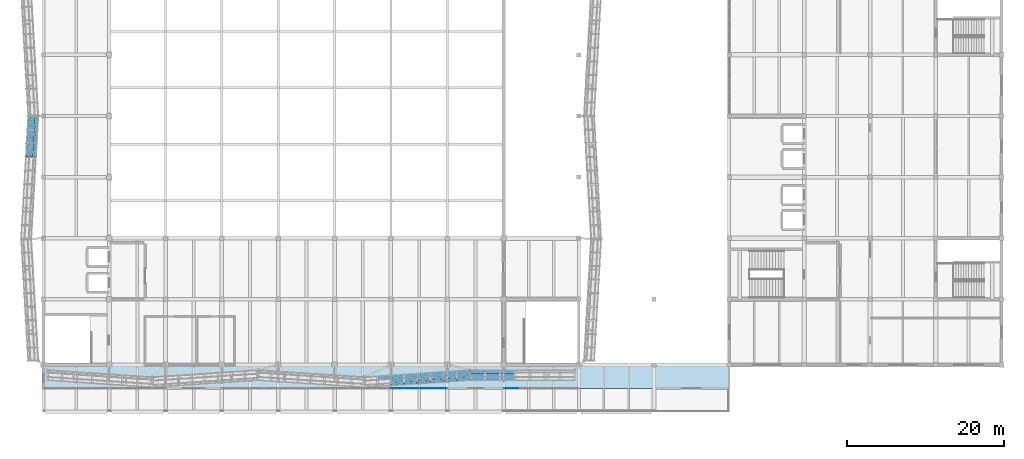
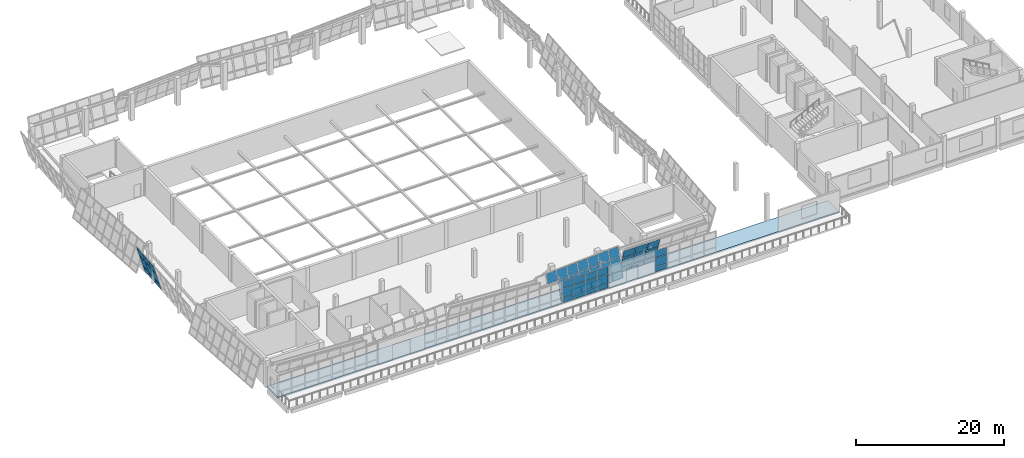
# One storey, part 37 of 67: 52 plates, 1 slab, 5 elements without a shape of their own.
"""IFC4 building model written with IfcOpenShell, lengths in metres."""

from ifc_helpers import new_model, si_unit, direction, frame, origin, place, context, subcontext, project, spatial, polyline, outline, extrude, material, layer, layer_set, type_object, element, aggregate, save


model = new_model("IFC4")

# Units and contexts
model_context = context("Model", 3, precision=1e-05, world=origin(), true_north=direction((0.0, 1.0)))
body_context = subcontext(model_context, "Body", "Model", "MODEL_VIEW")
ifc_project = project(units=[si_unit("LENGTHUNIT", "METRE"), si_unit("AREAUNIT", "SQUARE_METRE"), si_unit("VOLUMEUNIT", "CUBIC_METRE"), si_unit("PLANEANGLEUNIT", "RADIAN"), si_unit("MASSUNIT", "GRAM", prefix="KILO")], contexts=[model_context])

# Site, building, storey
site_placement = place(None, origin())
site = spatial("IfcSite", under=ifc_project, at=site_placement, CompositionType="ELEMENT")
building_placement = place(site_placement, origin())
building = spatial("IfcBuilding", under=site, at=building_placement, Name="Pellamere Symphony Hall", CompositionType="ELEMENT")
storey_placement = place(building_placement, frame((0.0, 0.0, 19.5)))
storey = spatial("IfcBuildingStorey", under=building, at=storey_placement, Name="L04", CompositionType="ELEMENT", Elevation=19.5)

# Curtain wall, plates
ifc_material_1 = material(Name="Thermally Broken Anodised Aluminium 6063-T6 Curtain Wall", Category="aluminium")
curtain_wall_type_1 = type_object("IfcCurtainWallType", Name="Curtain Wall CW-06 (Belvedere Terrace Clerestory Curtain Wall)", PredefinedType="NOTDEFINED", material=ifc_material_1)
curtain_wall_1_placement = place(storey_placement, origin())
curtain_wall_1 = element("IfcCurtainWall", 1, at=curtain_wall_1_placement, inside=storey, type_object=curtain_wall_type_1, Name="Winter-Garden South Curtain Wall (L04 Bay 7)", PredefinedType="NOTDEFINED")
ifc_material_2 = material(Name="Triple Low-E Argon Acoustic Glazing 36mm", Category="glass")
ifc_layer_1 = layer(ifc_material_2, 0.035888671875, Name="Triple Low-E Argon Acoustic Glazing 36mm")
ifc_layer_set_1 = layer_set([ifc_layer_1], Name="Triple Low-E Argon Acoustic Glazing 36mm")
plate_type_1 = type_object("IfcPlateType", Name="Facade Panel GL-01 36mm", PredefinedType="CURTAIN_PANEL", material=ifc_layer_set_1)
plate_1_placement = place(storey_placement, frame((94.864990234375, 27.0, 0.06494140625), z_axis=(0.0, -1.0, 0.0), x_axis=(1.0, 0.0, 0.0)))
plate_1 = element("IfcPlate", 2, at=plate_1_placement, type_object=plate_type_1, Name="CW2-100 crystal glass panel 1.1", PredefinedType="CURTAIN_PANEL", context=body_context, shape_type="SweptSolid", body=[
    extrude(outline(polyline([(0.0, 0.0), (1.702392578125, 0.0), (1.702392578125, 0.76123046875), (0.0, 0.76123046875), (0.0, 0.0)])), origin(), (0.0, 0.0, -1.0), 0.035888671875),
])
plate_2_placement = place(storey_placement, frame((94.864990234375, 27.0, 0.89111328125), z_axis=(0.0, -1.0, 0.0), x_axis=(1.0, 0.0, 0.0)))
plate_2 = element("IfcPlate", 3, at=plate_2_placement, type_object=plate_type_1, Name="CW2-100 crystal glass panel 1.2", PredefinedType="CURTAIN_PANEL", context=body_context, shape_type="SweptSolid", body=[
    extrude(outline(polyline([(0.0, 0.0), (1.702392578125, 0.0), (1.702392578125, 1.4375), (0.0, 1.4375), (0.0, 0.0)])), origin(), (0.0, 0.0, -1.0), 0.035888671875),
])
plate_3_placement = place(storey_placement, frame((94.864990234375, 27.0, 2.3935546875), z_axis=(0.0, -1.0, 0.0), x_axis=(1.0, 0.0, 0.0)))
plate_3 = element("IfcPlate", 4, at=plate_3_placement, type_object=plate_type_1, Name="CW2-100 crystal glass panel 1.3", PredefinedType="CURTAIN_PANEL", context=body_context, shape_type="SweptSolid", body=[
    extrude(outline(polyline([(0.0, 0.0), (1.702392578125, 0.0), (1.702392578125, 1.118896484375), (0.0, 1.118896484375), (0.0, 0.0)])), origin(), (0.0, 0.0, -1.0), 0.035888671875),
])
plate_4_placement = place(storey_placement, frame((96.632568359375, 27.0, 0.06494140625), z_axis=(0.0, -1.0, 0.0), x_axis=(1.0, 0.0, 0.0)))
plate_4 = element("IfcPlate", 5, at=plate_4_placement, type_object=plate_type_1, Name="CW2-100 crystal glass panel 2.1", PredefinedType="CURTAIN_PANEL", context=body_context, shape_type="SweptSolid", body=[
    extrude(outline(polyline([(0.0, 0.0), (1.73486328125, 0.0), (1.73486328125, 0.76123046875), (0.0, 0.76123046875), (0.0, 0.0)])), origin(), (0.0, 0.0, -1.0), 0.035888671875),
])
plate_5_placement = place(storey_placement, frame((96.632568359375, 27.0, 0.89111328125), z_axis=(0.0, -1.0, 0.0), x_axis=(1.0, 0.0, 0.0)))
plate_5 = element("IfcPlate", 6, at=plate_5_placement, type_object=plate_type_1, Name="CW2-100 crystal glass panel 2.2", PredefinedType="CURTAIN_PANEL", context=body_context, shape_type="SweptSolid", body=[
    extrude(outline(polyline([(0.0, 0.0), (1.73486328125, 0.0), (1.73486328125, 1.4375), (0.0, 1.4375), (0.0, 0.0)])), origin(), (0.0, 0.0, -1.0), 0.035888671875),
])
plate_6_placement = place(storey_placement, frame((96.632568359375, 27.0, 2.3935546875), z_axis=(0.0, -1.0, 0.0), x_axis=(1.0, 0.0, 0.0)))
plate_6 = element("IfcPlate", 7, at=plate_6_placement, type_object=plate_type_1, Name="CW2-100 crystal glass panel 2.3", PredefinedType="CURTAIN_PANEL", context=body_context, shape_type="SweptSolid", body=[
    extrude(outline(polyline([(0.0, 0.0), (1.73486328125, 0.0), (1.73486328125, 1.118896484375), (0.0, 1.118896484375), (0.0, 0.0)])), origin(), (0.0, 0.0, -1.0), 0.035888671875),
])
plate_7_placement = place(storey_placement, frame((98.4326171875, 27.0, 0.06494140625), z_axis=(0.0, -1.0, 0.0), x_axis=(1.0, 0.0, 0.0)))
plate_7 = element("IfcPlate", 8, at=plate_7_placement, type_object=plate_type_1, Name="CW2-100 crystal glass panel 3.1", PredefinedType="CURTAIN_PANEL", context=body_context, shape_type="SweptSolid", body=[
    extrude(outline(polyline([(0.0, 0.0), (1.73486328125, 0.0), (1.73486328125, 0.76123046875), (0.0, 0.76123046875), (0.0, 0.0)])), origin(), (0.0, 0.0, -1.0), 0.035888671875),
])
plate_8_placement = place(storey_placement, frame((98.4326171875, 27.0, 0.89111328125), z_axis=(0.0, -1.0, 0.0), x_axis=(1.0, 0.0, 0.0)))
plate_8 = element("IfcPlate", 9, at=plate_8_placement, type_object=plate_type_1, Name="CW2-100 crystal glass panel 3.2", PredefinedType="CURTAIN_PANEL", context=body_context, shape_type="SweptSolid", body=[
    extrude(outline(polyline([(0.0, 0.0), (1.73486328125, 0.0), (1.73486328125, 1.4375), (0.0, 1.4375), (0.0, 0.0)])), origin(), (0.0, 0.0, -1.0), 0.035888671875),
])
plate_9_placement = place(storey_placement, frame((98.4326171875, 27.0, 2.3935546875), z_axis=(0.0, -1.0, 0.0), x_axis=(1.0, 0.0, 0.0)))
plate_9 = element("IfcPlate", 10, at=plate_9_placement, type_object=plate_type_1, Name="CW2-100 crystal glass panel 3.3", PredefinedType="CURTAIN_PANEL", context=body_context, shape_type="SweptSolid", body=[
    extrude(outline(polyline([(0.0, 0.0), (1.73486328125, 0.0), (1.73486328125, 1.118896484375), (0.0, 1.118896484375), (0.0, 0.0)])), origin(), (0.0, 0.0, -1.0), 0.035888671875),
])
plate_10_placement = place(storey_placement, frame((100.232421875, 27.0, 0.06494140625), z_axis=(0.0, -1.0, 0.0), x_axis=(1.0, 0.0, 0.0)))
plate_10 = element("IfcPlate", 11, at=plate_10_placement, type_object=plate_type_1, Name="CW2-100 crystal glass panel 4.1", PredefinedType="CURTAIN_PANEL", context=body_context, shape_type="SweptSolid", body=[
    extrude(outline(polyline([(0.0, 0.0), (1.70263671875, 0.0), (1.70263671875, 0.76123046875), (0.0, 0.76123046875), (0.0, 0.0)])), origin(), (0.0, 0.0, -1.0), 0.035888671875),
])
plate_11_placement = place(storey_placement, frame((100.232421875, 27.0, 0.89111328125), z_axis=(0.0, -1.0, 0.0), x_axis=(1.0, 0.0, 0.0)))
plate_11 = element("IfcPlate", 12, at=plate_11_placement, type_object=plate_type_1, Name="CW2-100 crystal glass panel 4.2", PredefinedType="CURTAIN_PANEL", context=body_context, shape_type="SweptSolid", body=[
    extrude(outline(polyline([(0.0, 0.0), (1.70263671875, 0.0), (1.70263671875, 1.4375), (0.0, 1.4375), (0.0, 0.0)])), origin(), (0.0, 0.0, -1.0), 0.035888671875),
])
plate_12_placement = place(storey_placement, frame((100.232421875, 27.0, 2.3935546875), z_axis=(0.0, -1.0, 0.0), x_axis=(1.0, 0.0, 0.0)))
plate_12 = element("IfcPlate", 13, at=plate_12_placement, type_object=plate_type_1, Name="CW2-100 crystal glass panel 4.3", PredefinedType="CURTAIN_PANEL", context=body_context, shape_type="SweptSolid", body=[
    extrude(outline(polyline([(0.0, 0.0), (1.70263671875, 0.0), (1.70263671875, 1.118896484375), (0.0, 1.118896484375), (0.0, 0.0)])), origin(), (0.0, 0.0, -1.0), 0.035888671875),
])
aggregate(curtain_wall_1, [plate_1, plate_2, plate_3, plate_4, plate_5, plate_6, plate_7, plate_8, plate_9, plate_10, plate_11, plate_12])

curtain_wall_type_2 = type_object("IfcCurtainWallType", Name="Curtain Wall CW-01 (Tilted Faceted Crystal Low-Iron Curtain Wall)", PredefinedType="NOTDEFINED", material=ifc_material_1)
curtain_wall_2_placement = place(storey_placement, origin())
curtain_wall_2 = element("IfcCurtainWall", 14, at=curtain_wall_2_placement, inside=storey, type_object=curtain_wall_type_2, Name="Crystal Faceted Curtain Wall CW-CR04 (L04)", PredefinedType="NOTDEFINED")
ifc_material_3 = material(Name="Triple Laminated Acoustic Crystal Glazing 42mm", Category="glass")
ifc_layer_2 = layer(ifc_material_3, 0.0419921875, Name="Triple Laminated Acoustic Crystal Glazing 42mm")
ifc_layer_set_2 = layer_set([ifc_layer_2], Name="Triple Laminated Acoustic Crystal Glazing 42mm")
plate_type_2 = type_object("IfcPlateType", Name="Facade Panel GL-02 42mm", PredefinedType="CURTAIN_PANEL", material=ifc_layer_set_2)
plate_13_placement = place(storey_placement, frame((93.125, 28.122314453125, 3.005859375), z_axis=(0.063815004476, -0.956862893455, 0.283444965263), x_axis=(0.997783083326, 0.066550118015, 2.0485651e-05)))
plate_13 = element("IfcPlate", 15, at=plate_13_placement, type_object=plate_type_2, Name="CW1-004 crystal glass panel 2.3", PredefinedType="CURTAIN_PANEL", context=body_context, shape_type="SweptSolid", body=[
    extrude(outline(polyline([(0.0, 0.0), (1.6161391277871378, 0.0), (1.6441953490990662, 1.4829014653860697), (0.028072468899334197, 1.48297051208629), (0.0, 0.0)])), origin(), (0.0, 0.0, -1.0), 0.0419921875),
])
plate_14_placement = place(storey_placement, frame((94.8125, 27.36572265625, 0.072021484375), z_axis=(0.063813980382, -0.956847537844, 0.283497028608), x_axis=(0.997783083178, 0.066550120235, 2.0489085e-05)))
plate_14 = element("IfcPlate", 16, at=plate_14_placement, type_object=plate_type_2, Name="CW1-004 crystal glass panel 3.1", PredefinedType="CURTAIN_PANEL", context=body_context, shape_type="SweptSolid", body=[
    extrude(outline(polyline([(0.0, 0.0), (1.6161391277872732, 0.0), (1.6353149478078974, 1.013469832796741), (0.019192067608572165, 1.0135388921795014), (0.0, 0.0)])), origin(), (0.0, 0.0, -1.0), 0.0419921875),
])
plate_15_placement = place(storey_placement, frame((94.8125, 27.675048828125, 1.115966796875), z_axis=(0.063742803838, -0.956866407618, 0.283449348087), x_axis=(0.997788498757, 0.06646887804, 0.0)))
plate_15 = element("IfcPlate", 17, at=plate_15_placement, type_object=plate_type_2, Name="CW1-004 crystal glass panel 3.2", PredefinedType="CURTAIN_PANEL", context=body_context, shape_type="SweptSolid", body=[
    extrude(outline(polyline([(0.0, 0.0), (1.616122885895694, 0.0), (1.6519213099571914, 1.895870161008751), (0.03579842406149748, 1.895870161008751), (0.0, 0.0)])), origin(), (0.0, 0.0, -1.0), 0.0419921875),
])
plate_16_placement = place(storey_placement, frame((94.8125, 28.23486328125, 3.005859375), z_axis=(0.063815004476, -0.956862893455, 0.283444965263), x_axis=(0.997783083326, 0.066550118015, 2.0485651e-05)))
plate_16 = element("IfcPlate", 18, at=plate_16_placement, type_object=plate_type_2, Name="CW1-004 crystal glass panel 3.3", PredefinedType="CURTAIN_PANEL", context=body_context, shape_type="SweptSolid", body=[
    extrude(outline(polyline([(0.0, 0.0), (1.6161391277871378, 0.0), (1.6441953490990662, 1.4829014653860697), (0.028072468899334197, 1.48297051208629), (0.0, 0.0)])), origin(), (0.0, 0.0, -1.0), 0.0419921875),
])
plate_17_placement = place(storey_placement, frame((96.5, 27.478271484375, 0.072021484375), z_axis=(0.063739669233, -0.956819352916, 0.283608851153), x_axis=(0.997788498757, 0.06646887804, 0.0)))
plate_17 = element("IfcPlate", 19, at=plate_17_placement, type_object=plate_type_2, Name="CW1-004 crystal glass panel 4.1", PredefinedType="CURTAIN_PANEL", context=body_context, shape_type="SweptSolid", body=[
    extrude(outline(polyline([(0.0, 0.0), (1.616122885895694, -3.469446951953614e-18), (1.6352716349403753, 1.0135397182510573), (0.019148749044681338, 1.0135397182510573), (0.0, 0.0)])), origin(), (0.0, 0.0, -1.0), 0.0419921875),
])
plate_18_placement = place(storey_placement, frame((96.5, 27.78759765625, 1.115966796875), z_axis=(0.063742803838, -0.956866407618, 0.283449348087), x_axis=(0.997788498757, 0.06646887804, 0.0)))
plate_18 = element("IfcPlate", 20, at=plate_18_placement, type_object=plate_type_2, Name="CW1-004 crystal glass panel 4.2", PredefinedType="CURTAIN_PANEL", context=body_context, shape_type="SweptSolid", body=[
    extrude(outline(polyline([(0.0, 0.0), (1.616122885895694, 0.0), (1.6519213099571914, 1.895870161008751), (0.03579842406149748, 1.895870161008751), (0.0, 0.0)])), origin(), (0.0, 0.0, -1.0), 0.0419921875),
])
plate_19_placement = place(storey_placement, frame((96.5, 28.347412109375, 3.005859375), z_axis=(0.063741380075, -0.956845034984, 0.283521807791), x_axis=(0.997788498757, 0.06646887804, 0.0)))
plate_19 = element("IfcPlate", 21, at=plate_19_placement, type_object=plate_type_2, Name="CW1-004 crystal glass panel 4.3", PredefinedType="CURTAIN_PANEL", context=body_context, shape_type="SweptSolid", body=[
    extrude(outline(polyline([(0.0, 0.0), (1.616122885895694, -3.469446951953614e-18), (1.6441319883118974, 1.4829717148525519), (0.02800910241620338, 1.4829717148525519), (0.0, 0.0)])), origin(), (0.0, 0.0, -1.0), 0.0419921875),
])
plate_20_placement = place(storey_placement, frame((98.1875, 27.5908203125, 0.072021484375), z_axis=(0.063813980382, -0.956847537844, 0.283497028608), x_axis=(0.99778388931, 0.066538032828, -2.0489291e-05)))
plate_20 = element("IfcPlate", 22, at=plate_20_placement, type_object=plate_type_2, Name="CW1-004 crystal glass panel 5.1", PredefinedType="CURTAIN_PANEL", context=body_context, shape_type="SweptSolid", body=[
    extrude(outline(polyline([(0.0, 0.0), (1.6161228816748314, 0.0), (1.6352716392112494, 1.0135397113603168), (0.019132512899497058, 1.0134706512833356), (0.0, 0.0)])), origin(), (0.0, 0.0, -1.0), 0.0419921875),
])
plate_21_placement = place(storey_placement, frame((98.1875, 27.900146484375, 1.115966796875), z_axis=(0.063742803838, -0.956866407618, 0.283449348087), x_axis=(0.997788498757, 0.06646887804, 0.0)))
plate_21 = element("IfcPlate", 23, at=plate_21_placement, type_object=plate_type_2, Name="CW1-004 crystal glass panel 5.2", PredefinedType="CURTAIN_PANEL", context=body_context, shape_type="SweptSolid", body=[
    extrude(outline(polyline([(0.0, 0.0), (1.616122885895694, 0.0), (1.6519213099571914, 1.895870161008751), (0.03579842406149748, 1.895870161008751), (0.0, 0.0)])), origin(), (0.0, 0.0, -1.0), 0.0419921875),
])
plate_22_placement = place(storey_placement, frame((98.1875, 28.4599609375, 3.005859375), z_axis=(0.063815004476, -0.956862893455, 0.283444965263), x_axis=(0.997783889163, 0.066538035048, -2.0485857e-05)))
plate_22 = element("IfcPlate", 24, at=plate_22_placement, type_object=plate_type_2, Name="CW1-004 crystal glass panel 5.3", PredefinedType="CURTAIN_PANEL", context=body_context, shape_type="SweptSolid", body=[
    extrude(outline(polyline([(0.0, 0.0), (1.616122881674696, -3.469446951953614e-18), (1.64413199260605, 1.4829717100917374), (0.02799286629389127, 1.4829026626974238), (0.0, 0.0)])), origin(), (0.0, 0.0, -1.0), 0.0419921875),
])
plate_23_placement = place(storey_placement, frame((99.875, 27.703369140625, 0.072021484375), z_axis=(0.063813980382, -0.956847537844, 0.283497028608), x_axis=(0.99778388931, 0.066538032828, -2.0489291e-05)))
plate_23 = element("IfcPlate", 25, at=plate_23_placement, type_object=plate_type_2, Name="CW1-004 crystal glass panel 6.1", PredefinedType="CURTAIN_PANEL", context=body_context, shape_type="SweptSolid", body=[
    extrude(outline(polyline([(0.0, 0.0), (1.6161228816748314, 0.0), (1.6352716392112494, 1.0135397113603168), (0.019132512899497058, 1.0134706512833356), (0.0, 0.0)])), origin(), (0.0, 0.0, -1.0), 0.0419921875),
])
plate_24_placement = place(storey_placement, frame((99.875, 28.012451171875, 1.115966796875), z_axis=(0.063887083219, -0.956857561593, 0.283446727659), x_axis=(0.997778468566, 0.06661927398, 0.0)))
plate_24 = element("IfcPlate", 26, at=plate_24_placement, type_object=plate_type_2, Name="CW1-004 crystal glass panel 6.2", PredefinedType="CURTAIN_PANEL", context=body_context, shape_type="SweptSolid", body=[
    extrude(outline(polyline([(0.0, 0.0), (1.6161391320080933, 0.0), (1.6520185554455487, 1.8958686298218108), (0.03587942343745519, 1.8958686298218108), (0.0, 0.0)])), origin(), (0.0, 0.0, -1.0), 0.0419921875),
])
plate_25_placement = place(storey_placement, frame((99.875, 28.572509765625, 3.005859375), z_axis=(0.063815004476, -0.956862893455, 0.283444965263), x_axis=(0.997783889163, 0.066538035048, -2.0485857e-05)))
plate_25 = element("IfcPlate", 27, at=plate_25_placement, type_object=plate_type_2, Name="CW1-004 crystal glass panel 6.3", PredefinedType="CURTAIN_PANEL", context=body_context, shape_type="SweptSolid", body=[
    extrude(outline(polyline([(0.0, 0.0), (1.616122881674696, -3.469446951953614e-18), (1.64413199260605, 1.4829717100917374), (0.02799286629389127, 1.4829026626974238), (0.0, 0.0)])), origin(), (0.0, 0.0, -1.0), 0.0419921875),
])
plate_26_placement = place(storey_placement, frame((101.5625, 27.81591796875, 0.072021484375), z_axis=(0.063744012611, -0.956884552951, 0.283387814099), x_axis=(0.997788498757, 0.06646887804, 0.0)))
plate_26 = element("IfcPlate", 28, at=plate_26_placement, type_object=plate_type_2, Name="CW1-004 crystal glass panel 7.1", PredefinedType="CURTAIN_PANEL", context=body_context, shape_type="SweptSolid", body=[
    extrude(outline(polyline([(0.0, 0.0), (1.616122885895694, -3.469446951953614e-18), (1.6352554071869476, 1.0134706578556791), (0.019132521291253642, 1.0134706578556791), (0.0, 0.0)])), origin(), (0.0, 0.0, -1.0), 0.0419921875),
])
plate_27_placement = place(storey_placement, frame((101.5625, 28.125, 1.115966796875), z_axis=(0.063887083219, -0.956857561593, 0.283446727659), x_axis=(0.997778468566, 0.06661927398, 0.0)))
plate_27 = element("IfcPlate", 29, at=plate_27_placement, type_object=plate_type_2, Name="CW1-004 crystal glass panel 7.2", PredefinedType="CURTAIN_PANEL", context=body_context, shape_type="SweptSolid", body=[
    extrude(outline(polyline([(0.0, 0.0), (1.6161391320080933, 0.0), (1.6520185554455487, 1.8958686298218108), (0.03587942343745519, 1.8958686298218108), (0.0, 0.0)])), origin(), (0.0, 0.0, -1.0), 0.0419921875),
])
plate_28_placement = place(storey_placement, frame((101.5625, 28.684814453125, 3.005859375), z_axis=(0.063815004476, -0.956862893455, 0.283444965263), x_axis=(0.997783083326, 0.066550118015, 2.0485651e-05)))
plate_28 = element("IfcPlate", 30, at=plate_28_placement, type_object=plate_type_2, Name="CW1-004 crystal glass panel 7.3", PredefinedType="CURTAIN_PANEL", context=body_context, shape_type="SweptSolid", body=[
    extrude(outline(polyline([(0.0, 0.0), (1.6161391277871378, 0.0), (1.6441953490990662, 1.4829014653860697), (0.028072468899334197, 1.48297051208629), (0.0, 0.0)])), origin(), (0.0, 0.0, -1.0), 0.0419921875),
])
plate_29_placement = place(storey_placement, frame((103.25, 27.92822265625, 0.072021484375), z_axis=(0.063768067856, -0.956817613505, 0.283608335578), x_axis=(0.997786526209, 0.066498482063, 0.0)))
plate_29 = element("IfcPlate", 31, at=plate_29_placement, type_object=plate_type_2, Name="CW1-004 crystal glass panel 8.1", PredefinedType="CURTAIN_PANEL", context=body_context, shape_type="SweptSolid", body=[
    extrude(outline(polyline([(0.0, 0.0), (1.578689700777497, -3.469446951953614e-18), (1.5978469783249076, 1.0135395570866388), (0.01915727754741067, 1.0135395570866388), (0.0, 0.0)])), origin(), (0.0, 0.0, -1.0), 0.0419921875),
])
plate_30_placement = place(storey_placement, frame((103.25, 28.237548828125, 1.115966796875), z_axis=(0.063771203847, -0.95686466795, 0.283448832751), x_axis=(0.997786526209, 0.066498482063, 0.0)))
plate_30 = element("IfcPlate", 32, at=plate_30_placement, type_object=plate_type_2, Name="CW1-004 crystal glass panel 8.2", PredefinedType="CURTAIN_PANEL", context=body_context, shape_type="SweptSolid", body=[
    extrude(outline(polyline([(0.0, 0.0), (1.578689700777497, 0.0), (1.6145040688025716, 1.8958698598826869), (0.03581436802507452, 1.8958698598826869), (0.0, 0.0)])), origin(), (0.0, 0.0, -1.0), 0.0419921875),
])
plate_31_placement = place(storey_placement, frame((103.25, 28.79736328125, 3.005859375), z_axis=(0.063769779454, -0.956843295433, 0.283521292346), x_axis=(0.997786526209, 0.066498482063, 0.0)))
plate_31 = element("IfcPlate", 33, at=plate_31_placement, type_object=plate_type_2, Name="CW1-004 crystal glass panel 8.3", PredefinedType="CURTAIN_PANEL", context=body_context, shape_type="SweptSolid", body=[
    extrude(outline(polyline([(0.0, 0.0), (1.578689700777497, -3.469446951953614e-18), (1.6067112779358281, 1.4829714791877961), (0.028021577158331198, 1.4829714791877961), (0.0, 0.0)])), origin(), (0.0, 0.0, -1.0), 0.0419921875),
])
aggregate(curtain_wall_2, [plate_13, plate_14, plate_15, plate_16, plate_17, plate_18, plate_19, plate_20, plate_21, plate_22, plate_23, plate_24, plate_25, plate_26, plate_27, plate_28, plate_29, plate_30, plate_31])

curtain_wall_3_placement = place(storey_placement, origin())
curtain_wall_3 = element("IfcCurtainWall", 34, at=curtain_wall_3_placement, inside=storey, type_object=curtain_wall_type_2, Name="Crystal Faceted Curtain Wall CW-CR05 (L04)", PredefinedType="NOTDEFINED")
plate_32_placement = place(storey_placement, frame((104.97509765625, 29.32861328125, 0.072021484375), z_axis=(0.0, 0.958834551631, 0.28396531936), x_axis=(1.0, 0.0, 0.0)))
plate_32 = element("IfcPlate", 35, at=plate_32_placement, type_object=plate_type_2, Name="CW1-005 crystal glass panel 1.1", PredefinedType="CURTAIN_PANEL", context=body_context, shape_type="SweptSolid", body=[
    extrude(outline(polyline([(0.0, 0.0), (1.8017578125, 0.0), (1.8017578125, -1.0136512357341567), (0.0, -1.0136512357341567), (0.0, 0.0)])), origin(), (0.0, 0.0, -1.0), 0.0419921875),
])
plate_33_placement = place(storey_placement, frame((104.97509765625, 29.01953125, 1.115966796875), z_axis=(0.0, 0.95881629514, 0.284026956772), x_axis=(1.0, 0.0, 0.0)))
plate_33 = element("IfcPlate", 36, at=plate_33_placement, type_object=plate_type_2, Name="CW1-005 crystal glass panel 1.2", PredefinedType="CURTAIN_PANEL", context=body_context, shape_type="SweptSolid", body=[
    extrude(outline(polyline([(0.0, 0.0), (1.8017578125, 0.0), (1.8017578125, -1.8962081095092473), (0.0, -1.8962081095092473), (0.0, 0.0)])), origin(), (0.0, 0.0, -1.0), 0.0419921875),
])
plate_34_placement = place(storey_placement, frame((104.97509765625, 28.45947265625, 3.005859375), z_axis=(0.0, 0.958839617643, 0.28394821295), x_axis=(1.0, 0.0, 0.0)))
plate_34 = element("IfcPlate", 37, at=plate_34_placement, type_object=plate_type_2, Name="CW1-005 crystal glass panel 1.3", PredefinedType="CURTAIN_PANEL", context=body_context, shape_type="SweptSolid", body=[
    extrude(outline(polyline([(0.0, 0.0), (1.8017578125, 0.0), (1.8017578125, -1.4831668554959554), (0.0, -1.4831668554959554), (0.0, 0.0)])), origin(), (0.0, 0.0, -1.0), 0.0419921875),
])
plate_35_placement = place(storey_placement, frame((106.851806640625, 29.32861328125, 0.072021484375), z_axis=(0.0, 0.958834551631, 0.28396531936), x_axis=(1.0, 0.0, 0.0)))
plate_35 = element("IfcPlate", 38, at=plate_35_placement, type_object=plate_type_2, Name="CW1-005 crystal glass panel 2.1", PredefinedType="CURTAIN_PANEL", context=body_context, shape_type="SweptSolid", body=[
    extrude(outline(polyline([(0.0, 0.0), (1.83935546875, 0.0), (1.83935546875, -1.013651235734157), (0.0, -1.013651235734157), (0.0, 0.0)])), origin(), (0.0, 0.0, -1.0), 0.0419921875),
])
plate_36_placement = place(storey_placement, frame((106.851806640625, 29.01953125, 1.115966796875), z_axis=(0.0, 0.95881629514, 0.284026956772), x_axis=(1.0, 0.0, 0.0)))
plate_36 = element("IfcPlate", 39, at=plate_36_placement, type_object=plate_type_2, Name="CW1-005 crystal glass panel 2.2", PredefinedType="CURTAIN_PANEL", context=body_context, shape_type="SweptSolid", body=[
    extrude(outline(polyline([(0.0, 0.0), (1.83935546875, 0.0), (1.83935546875, -1.8962081095092473), (0.0, -1.8962081095092473), (0.0, 0.0)])), origin(), (0.0, 0.0, -1.0), 0.0419921875),
])
plate_37_placement = place(storey_placement, frame((106.851806640625, 28.45947265625, 3.005859375), z_axis=(0.0, 0.958839617643, 0.28394821295), x_axis=(1.0, 0.0, 0.0)))
plate_37 = element("IfcPlate", 40, at=plate_37_placement, type_object=plate_type_2, Name="CW1-005 crystal glass panel 2.3", PredefinedType="CURTAIN_PANEL", context=body_context, shape_type="SweptSolid", body=[
    extrude(outline(polyline([(0.0, 0.0), (1.83935546875, 0.0), (1.83935546875, -1.4831668554959554), (0.0, -1.4831668554959554), (0.0, 0.0)])), origin(), (0.0, 0.0, -1.0), 0.0419921875),
])
plate_38_placement = place(storey_placement, frame((108.76611328125, 29.32861328125, 0.072021484375), z_axis=(0.0, 0.958834551631, 0.28396531936), x_axis=(1.0, 0.0, 0.0)))
plate_38 = element("IfcPlate", 41, at=plate_38_placement, type_object=plate_type_2, Name="CW1-005 crystal glass panel 3.1", PredefinedType="CURTAIN_PANEL", context=body_context, shape_type="SweptSolid", body=[
    extrude(outline(polyline([(0.0, 0.0), (1.83935546875, 0.0), (1.83935546875, -1.013651235734157), (0.0, -1.013651235734157), (0.0, 0.0)])), origin(), (0.0, 0.0, -1.0), 0.0419921875),
])
plate_39_placement = place(storey_placement, frame((108.76611328125, 29.01953125, 1.115966796875), z_axis=(0.0, 0.95881629514, 0.284026956772), x_axis=(1.0, 0.0, 0.0)))
plate_39 = element("IfcPlate", 42, at=plate_39_placement, type_object=plate_type_2, Name="CW1-005 crystal glass panel 3.2", PredefinedType="CURTAIN_PANEL", context=body_context, shape_type="SweptSolid", body=[
    extrude(outline(polyline([(0.0, 0.0), (1.83935546875, 0.0), (1.83935546875, -1.8962081095092473), (0.0, -1.8962081095092473), (0.0, 0.0)])), origin(), (0.0, 0.0, -1.0), 0.0419921875),
])
plate_40_placement = place(storey_placement, frame((108.76611328125, 28.45947265625, 3.005859375), z_axis=(0.0, 0.958839617643, 0.28394821295), x_axis=(1.0, 0.0, 0.0)))
plate_40 = element("IfcPlate", 43, at=plate_40_placement, type_object=plate_type_2, Name="CW1-005 crystal glass panel 3.3", PredefinedType="CURTAIN_PANEL", context=body_context, shape_type="SweptSolid", body=[
    extrude(outline(polyline([(0.0, 0.0), (1.83935546875, 0.0), (1.83935546875, -1.4831668554959554), (0.0, -1.4831668554959554), (0.0, 0.0)])), origin(), (0.0, 0.0, -1.0), 0.0419921875),
])
aggregate(curtain_wall_3, [plate_32, plate_33, plate_34, plate_35, plate_36, plate_37, plate_38, plate_39, plate_40])

curtain_wall_4_placement = place(storey_placement, origin())
curtain_wall_4 = element("IfcCurtainWall", 44, at=curtain_wall_4_placement, inside=storey, type_object=curtain_wall_type_2, Name="Crystal Faceted Curtain Wall CW-CR17 (L04)", PredefinedType="NOTDEFINED")
ifc_material_4 = material(Name="Vacuum-Insulated Bronze-Anodised Aluminium Spandrel Panel", Category="aluminium")
ifc_layer_3 = layer(ifc_material_4, 0.06494140625, Name="Vacuum-Insulated Bronze-Anodised Aluminium Spandrel Panel")
ifc_layer_set_3 = layer_set([ifc_layer_3], Name="Vacuum-Insulated Bronze-Anodised Aluminium Spandrel Panel")
plate_type_3 = type_object("IfcPlateType", Name="Facade Panel SP-01 65mm", PredefinedType="CURTAIN_PANEL", material=ifc_layer_set_3)
plate_41_placement = place(storey_placement, frame((49.724365234375, 61.72509765625, 0.072021484375), z_axis=(0.957354651322, -0.054920794133, 0.283647277376), x_axis=(-0.057267086561, -0.998358893578, -2.0277222e-05)))
plate_41 = element("IfcPlate", 45, at=plate_41_placement, type_object=plate_type_3, Name="CW1-051 crystal glass panel 1.1", PredefinedType="CURTAIN_PANEL", context=body_context, shape_type="SweptSolid", body=[
    extrude(outline(polyline([(0.0, 0.0), (1.634756469169837, 3.469446951953614e-18), (1.6512346035740397, -1.0135866477473128), (0.016464153181897846, -1.0135175112981798), (0.0, 0.0)])), origin(), (0.0, 0.0, -1.0), 0.06494140625),
])
plate_42_placement = place(storey_placement, frame((49.4150390625, 61.72509765625, 1.115966796875), z_axis=(0.957372886168, -0.054850234166, 0.283599380541), x_axis=(-0.057198647566, -0.998362817175, 0.0)))
plate_42 = element("IfcPlate", 46, at=plate_42_placement, type_object=plate_type_3, Name="CW1-051 crystal glass panel 1.2", PredefinedType="CURTAIN_PANEL", context=body_context, shape_type="SweptSolid", body=[
    extrude(outline(polyline([(0.0, 0.0), (1.6347564733470132, 0.0), (1.665562190273358, -1.8959578588073336), (0.03080571692634491, -1.8959578588073336), (0.0, 0.0)])), origin(), (0.0, 0.0, -1.0), 0.06494140625),
])
plate_43_placement = place(storey_placement, frame((48.855224609375, 61.72509765625, 3.005859375), z_axis=(0.957370031361, -0.054921676444, 0.283595191264), x_axis=(-0.05726708876, -0.998358893452, -2.0273825e-05)))
plate_43 = element("IfcPlate", 47, at=plate_43_placement, type_object=plate_type_3, Name="CW1-051 crystal glass panel 1.3", PredefinedType="CURTAIN_PANEL", context=body_context, shape_type="SweptSolid", body=[
    extrude(outline(polyline([(0.0, 0.0), (1.634756469169703, 0.0), (1.6588592280006327, -1.4830403434262498), (0.024088777608087905, -1.482971219672634), (0.0, 0.0)])), origin(), (0.0, 0.0, -1.0), 0.06494140625),
])
plate_44_placement = place(storey_placement, frame((49.62646484375, 60.01806640625, 0.072021484375), z_axis=(0.957389337449, -0.054883974887, 0.283537309433), x_axis=(-0.057232737422, -0.998360863499, 0.0)))
plate_44 = element("IfcPlate", 48, at=plate_44_placement, type_object=plate_type_3, Name="CW1-051 crystal glass panel 2.1", PredefinedType="CURTAIN_PANEL", context=body_context, shape_type="SweptSolid", body=[
    extrude(outline(polyline([(0.0, 0.0), (1.6721745160346768, -3.469446951953614e-18), (1.688648490014305, -1.01351735845357), (0.016473973979628256, -1.01351735845357), (0.0, 0.0)])), origin(), (0.0, 0.0, -1.0), 0.06494140625),
])
plate_45_placement = place(storey_placement, frame((49.3173828125, 60.01806640625, 1.115966796875), z_axis=(0.957371163384, -0.054882933028, 0.283598870206), x_axis=(-0.057232737422, -0.998360863499, 0.0)))
plate_45 = element("IfcPlate", 49, at=plate_45_placement, type_object=plate_type_3, Name="CW1-051 crystal glass panel 2.2", PredefinedType="CURTAIN_PANEL", context=body_context, shape_type="SweptSolid", body=[
    extrude(outline(polyline([(0.0, 0.0), (1.6721745160346768, -3.469446951953614e-18), (1.7029985928786633, -1.8959575604045968), (0.030824076843986373, -1.895957560404597), (0.0, 0.0)])), origin(), (0.0, 0.0, -1.0), 0.06494140625),
])
plate_46_placement = place(storey_placement, frame((48.75732421875, 60.01806640625, 3.005859375), z_axis=(0.957394380588, -0.054884263994, 0.283520224294), x_axis=(-0.057232737422, -0.998360863499, 0.0)))
plate_46 = element("IfcPlate", 50, at=plate_46_placement, type_object=plate_type_3, Name="CW1-051 crystal glass panel 2.3", PredefinedType="CURTAIN_PANEL", context=body_context, shape_type="SweptSolid", body=[
    extrude(outline(polyline([(0.0, 0.0), (1.6721745160346768, -3.469446951953614e-18), (1.696277658625736, -1.482970990869004), (0.02410314259105915, -1.482970990869004), (0.0, 0.0)])), origin(), (0.0, 0.0, -1.0), 0.06494140625),
])
plate_47_placement = place(storey_placement, frame((49.526611328125, 58.273681640625, 0.072021484375), z_axis=(0.957324455748, -0.054872230831, 0.283758567642), x_axis=(-0.057224396245, -0.998361341637, 0.0)))
plate_47 = element("IfcPlate", 51, at=plate_47_placement, type_object=plate_type_3, Name="CW1-051 crystal glass panel 3.1", PredefinedType="CURTAIN_PANEL", context=body_context, shape_type="SweptSolid", body=[
    extrude(outline(polyline([(0.0, 0.0), (1.6724182565382377, 0.0), (1.6889038003784336, -1.0135865340002803), (0.016485543840195648, -1.0135865340002805), (0.0, 0.0)])), origin(), (0.0, 0.0, -1.0), 0.06494140625),
])
plate_48_placement = place(storey_placement, frame((49.21728515625, 58.273681640625, 1.115966796875), z_axis=(0.957371585014, -0.054874932201, 0.283598995104), x_axis=(-0.057224396245, -0.998361341637, 0.0)))
plate_48 = element("IfcPlate", 52, at=plate_48_placement, type_object=plate_type_3, Name="CW1-051 crystal glass panel 3.2", PredefinedType="CURTAIN_PANEL", context=body_context, shape_type="SweptSolid", body=[
    extrude(outline(polyline([(0.0, 0.0), (1.6724182565382377, -3.469446951953614e-18), (1.703237841039485, -1.895957633434831), (0.030819584501247117, -1.895957633434831), (0.0, 0.0)])), origin(), (0.0, 0.0, -1.0), 0.06494140625),
])
plate_49_placement = place(storey_placement, frame((48.657470703125, 58.273681640625, 3.005859375), z_axis=(0.957350178511, -0.054873705217, 0.283671486371), x_axis=(-0.057224396245, -0.998361341637, 0.0)))
plate_49 = element("IfcPlate", 53, at=plate_49_placement, type_object=plate_type_3, Name="CW1-051 crystal glass panel 3.3", PredefinedType="CURTAIN_PANEL", context=body_context, shape_type="SweptSolid", body=[
    extrude(outline(polyline([(0.0, 0.0), (1.6724182565382377, -3.469446951953614e-18), (1.69653185710449, -1.48304017178855), (0.024113600566252277, -1.48304017178855), (0.0, 0.0)])), origin(), (0.0, 0.0, -1.0), 0.06494140625),
])
aggregate(curtain_wall_4, [plate_41, plate_42, plate_43, plate_44, plate_45, plate_46, plate_47, plate_48, plate_49])

curtain_wall_5_placement = place(storey_placement, origin())
curtain_wall_5 = element("IfcCurtainWall", 54, at=curtain_wall_5_placement, inside=storey, type_object=curtain_wall_type_1, Name="Winter-Garden South Curtain Wall (L04 Bay 9)", PredefinedType="NOTDEFINED")
ifc_material_5 = material(Name="Mineral-Wool Insulated Dark Zinc Spandrel Panel", Category="aluminium")
ifc_layer_4 = layer(ifc_material_5, 0.054931640625, Name="Mineral-Wool Insulated Dark Zinc Spandrel Panel")
ifc_layer_set_4 = layer_set([ifc_layer_4], Name="Mineral-Wool Insulated Dark Zinc Spandrel Panel")
plate_type_4 = type_object("IfcPlateType", Name="Facade Panel SP-02 55mm", PredefinedType="CURTAIN_PANEL", material=ifc_layer_set_4)
plate_50_placement = place(storey_placement, frame((109.264892578125, 27.0, 0.06494140625), z_axis=(0.0, -1.0, 0.0), x_axis=(1.0, 0.0, 0.0)))
plate_50 = element("IfcPlate", 55, at=plate_50_placement, type_object=plate_type_4, Name="CW2-101 crystal glass panel 1.1", PredefinedType="CURTAIN_PANEL", context=body_context, shape_type="SweptSolid", body=[
    extrude(outline(polyline([(0.0, 0.0), (1.822509765625, 0.0), (1.822509765625, 0.76123046875), (0.0, 0.76123046875), (0.0, 0.0)])), origin(), (0.0, 0.0, -1.0), 0.054931640625),
])
plate_51_placement = place(storey_placement, frame((109.264892578125, 27.0, 0.89111328125), z_axis=(0.0, -1.0, 0.0), x_axis=(1.0, 0.0, 0.0)))
plate_51 = element("IfcPlate", 56, at=plate_51_placement, type_object=plate_type_4, Name="CW2-101 crystal glass panel 1.2", PredefinedType="CURTAIN_PANEL", context=body_context, shape_type="SweptSolid", body=[
    extrude(outline(polyline([(0.0, 0.0), (1.822509765625, 0.0), (1.822509765625, 1.4375), (0.0, 1.4375), (0.0, 0.0)])), origin(), (0.0, 0.0, -1.0), 0.054931640625),
])
plate_52_placement = place(storey_placement, frame((109.264892578125, 27.0, 2.3935546875), z_axis=(0.0, -1.0, 0.0), x_axis=(1.0, 0.0, 0.0)))
plate_52 = element("IfcPlate", 57, at=plate_52_placement, type_object=plate_type_4, Name="CW2-101 crystal glass panel 1.3", PredefinedType="CURTAIN_PANEL", context=body_context, shape_type="SweptSolid", body=[
    extrude(outline(polyline([(0.0, 0.0), (1.822509765625, 0.0), (1.822509765625, 1.118896484375), (0.0, 1.118896484375), (0.0, 0.0)])), origin(), (0.0, 0.0, -1.0), 0.054931640625),
])
aggregate(curtain_wall_5, [plate_50, plate_51, plate_52])

# Slab
ifc_material_6 = material(Name="Concrete 35 MPa", Category="concrete")
ifc_layer_5 = layer(ifc_material_6, 0.239990234375, Name="Concrete 35 MPa")
ifc_layer_set_5 = layer_set([ifc_layer_5], Name="Concrete 35 MPa")
slab_type = type_object("IfcSlabType", Name="Structural Slab FS-05 240mm", PredefinedType="FLOOR", material=ifc_layer_set_5)
slab_placement = place(storey_placement, frame((0.0, 0.0, -0.239990234375)))
element("IfcSlab", 58, at=slab_placement, inside=storey, type_object=slab_type, Name="Floor Slab L04-V4-1", PredefinedType="FLOOR", context=body_context, shape_type="SweptSolid", body=[
    extrude(outline(polyline([(138.0, 30.0), (138.0, 27.0), (50.39990234375, 27.0), (50.39990234375, 30.0), (56.324951171875, 30.0), (112.02490234375, 30.0), (118.800048828125, 30.0), (138.0, 30.0)])), origin(), (0.0, 0.0, 1.0), 0.239990234375),
])

save(model, "model.ifc")
